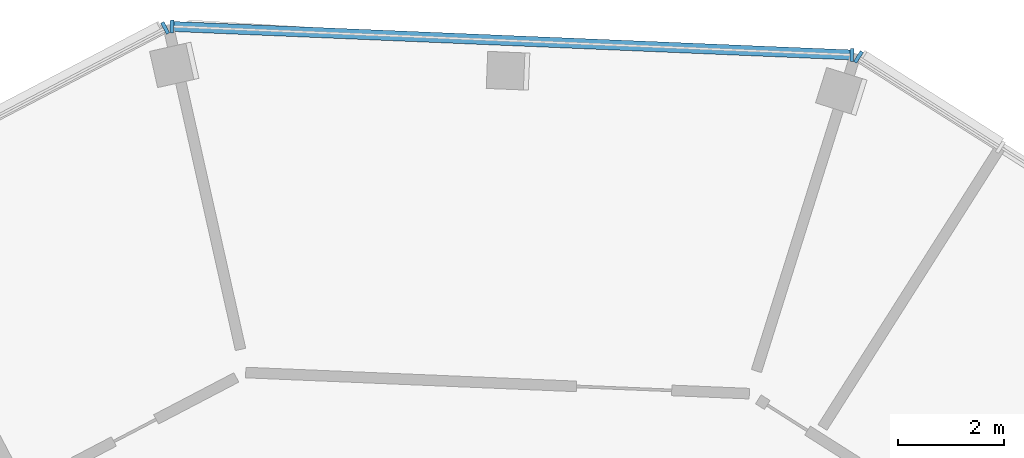
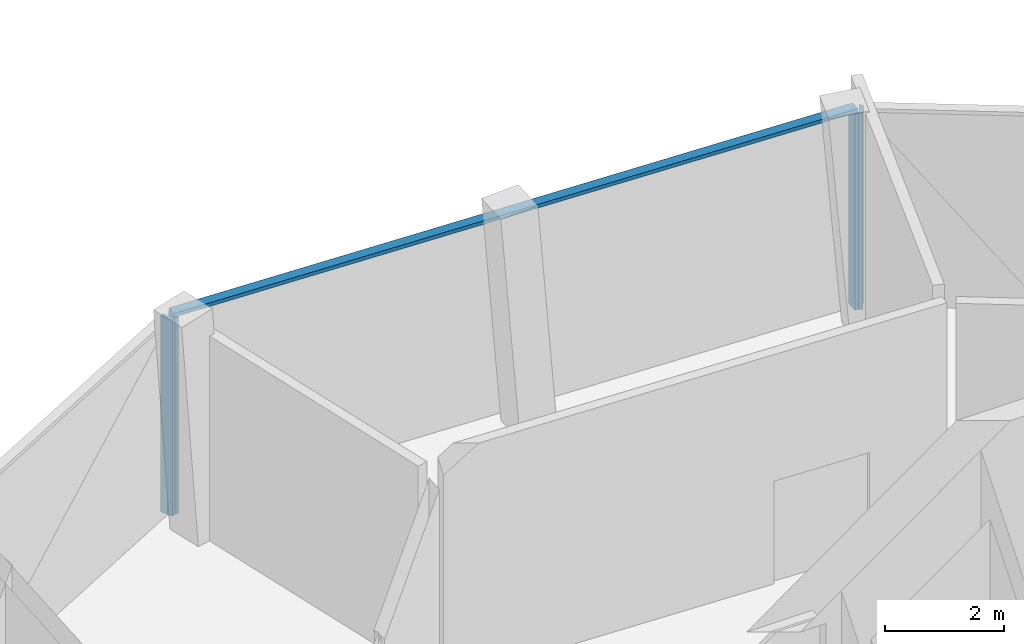
# One storey, part 6 of 21: 5 members, 3 elements without a shape of their own.
"""IFC4 building model written with IfcOpenShell, lengths in metres."""

from ifc_helpers import new_model, si_unit, direction, frame, origin, origin_2d, place, context, subcontext, project, spatial, rectangle, extrude, material, layer, layer_set, material_profile, profile_set, type_object, element, aggregate, save


model = new_model("IFC4")

# Units and contexts
model_context = context("Model", 3, precision=1e-05, world=origin(), true_north=direction((0.0, 1.0)))
body_context = subcontext(model_context, "Body", "Model", "MODEL_VIEW")
ifc_project = project(units=[si_unit("LENGTHUNIT", "METRE"), si_unit("AREAUNIT", "SQUARE_METRE"), si_unit("VOLUMEUNIT", "CUBIC_METRE"), si_unit("PLANEANGLEUNIT", "RADIAN"), si_unit("MASSUNIT", "GRAM", prefix="KILO")], contexts=[model_context])

# Site, building, storey
site_placement = place(None, origin())
site = spatial("IfcSite", under=ifc_project, at=site_placement, CompositionType="ELEMENT")
building_placement = place(site_placement, origin())
building = spatial("IfcBuilding", under=site, at=building_placement, Name="Verdalira Terraces Hotel", CompositionType="ELEMENT")
storey_placement = place(building_placement, frame((0.0, 0.0, 269.0)))
storey = spatial("IfcBuildingStorey", under=building, at=storey_placement, Name="L66", CompositionType="ELEMENT", Elevation=269.0)

# Curtain wall, member
ifc_material_1 = material(Name="Clear glass", Category="glass")
ifc_layer = layer(ifc_material_1, 0.239990234375)
ifc_layer_set = layer_set([ifc_layer], Name="CW5 curtain wall")
curtain_wall_type = type_object("IfcCurtainWallType", Name="CW5 curtain wall", PredefinedType="NOTDEFINED", material=ifc_layer_set)
curtain_wall_1_placement = place(storey_placement, origin())
curtain_wall_1 = element("IfcCurtainWall", 1, at=curtain_wall_1_placement, inside=storey, type_object=curtain_wall_type, Name="CW5 curtain wall L66 edge 39", PredefinedType="NOTDEFINED")
ifc_material_2 = material(Name="Terracotta frame", Category="masonry")
ifc_material_profile_1 = material_profile(ifc_material_2, rectangle(XDim=0.070068, YDim=0.23999, at=origin_2d()), Name="MU 70x240")
ifc_profile_set_1 = profile_set([ifc_material_profile_1], Name="Terracotta frame")
member_type_1 = type_object("IfcMemberType", Name="CW5 mullion 70x240", PredefinedType="MULLION", material=ifc_profile_set_1)
member_1_placement = place(storey_placement, frame((7.557617, 23.89917, 0.0), z_axis=(0.0, 0.0, 1.0), x_axis=(-0.844327926, 0.535826795, 0.0)))
member_1 = element("IfcMember", 2, at=member_1_placement, type_object=member_type_1, Name="CW5 mullion", PredefinedType="MULLION", context=body_context, shape_type="SweptSolid", body=[
    extrude(rectangle(XDim=0.070068, YDim=0.23999, at=origin_2d()), origin(), (0.0, 0.0, 1.0), 4.014893),
])
aggregate(curtain_wall_1, [member_1])

# Curtain wall, members
curtain_wall_2_placement = place(storey_placement, origin())
curtain_wall_2 = element("IfcCurtainWall", 3, at=curtain_wall_2_placement, inside=storey, type_object=curtain_wall_type, Name="CW5 curtain wall L66 edge 40", PredefinedType="NOTDEFINED")
member_2_placement = place(storey_placement, frame((7.433838, 23.937988, 0.0), z_axis=(0.0, 0.0, 1.0), x_axis=(-0.99912283, 0.041875654, 0.0)))
member_2 = element("IfcMember", 4, at=member_2_placement, type_object=member_type_1, Name="CW5 mullion", PredefinedType="MULLION", context=body_context, shape_type="SweptSolid", body=[
    extrude(rectangle(XDim=0.070068, YDim=0.23999, at=origin_2d()), origin(), (0.0, 0.0, 1.0), 4.014893),
])
member_3_placement = place(storey_placement, frame((-5.404541, 24.476074, 0.0), z_axis=(0.0, 0.0, 1.0), x_axis=(-0.99912283, 0.041875654, 0.0)))
member_3 = element("IfcMember", 5, at=member_3_placement, type_object=member_type_1, Name="CW5 mullion", PredefinedType="MULLION", context=body_context, shape_type="SweptSolid", body=[
    extrude(rectangle(XDim=0.070068, YDim=0.23999, at=origin_2d()), origin(), (0.0, 0.0, 1.0), 4.014893),
])

# Curtain wall, member
curtain_wall_3_placement = place(storey_placement, origin())
curtain_wall_3 = element("IfcCurtainWall", 6, at=curtain_wall_3_placement, inside=storey, type_object=curtain_wall_type, Name="CW5 curtain wall L66 edge 41", PredefinedType="NOTDEFINED")
member_4_placement = place(storey_placement, frame((-5.53125, 24.447754, 0.0), z_axis=(0.0, 0.0, 1.0), x_axis=(-0.886203579, -0.463296035, 0.0)))
member_4 = element("IfcMember", 7, at=member_4_placement, type_object=member_type_1, Name="CW5 mullion", PredefinedType="MULLION", context=body_context, shape_type="SweptSolid", body=[
    extrude(rectangle(XDim=0.070068, YDim=0.23999, at=origin_2d()), origin(), (0.0, 0.0, 1.0), 4.014893),
])
aggregate(curtain_wall_3, [member_4])

# Member
ifc_material_3 = material(Name="Terracotta frame", Category="masonry")
ifc_material_profile_2 = material_profile(ifc_material_3, rectangle(XDim=0.189941, YDim=0.074951, at=origin_2d()), Name="TR 75x190")
ifc_profile_set_2 = profile_set([ifc_material_profile_2], Name="Terracotta frame")
member_type_2 = type_object("IfcMemberType", Name="CW5 transom 75x190", PredefinedType="USERDEFINED", material=ifc_profile_set_2)
member_5_placement = place(storey_placement, frame((7.46875, 23.936523, 4.05249), z_axis=(-0.999122825, 0.041875779, 0.0), x_axis=(-0.041875779, -0.999122825, 0.0)))
member_5 = element("IfcMember", 8, at=member_5_placement, type_object=member_type_2, Name="CW5 transom", ObjectType="TRANSOM", PredefinedType="USERDEFINED", context=body_context, shape_type="SweptSolid", body=[
    extrude(rectangle(XDim=0.189941, YDim=0.074951, at=origin_2d()), origin(), (0.0, 0.0, 1.0), 12.919434),
])

aggregate(curtain_wall_2, [member_2, member_3, member_5])

save(model, "model.ifc")
